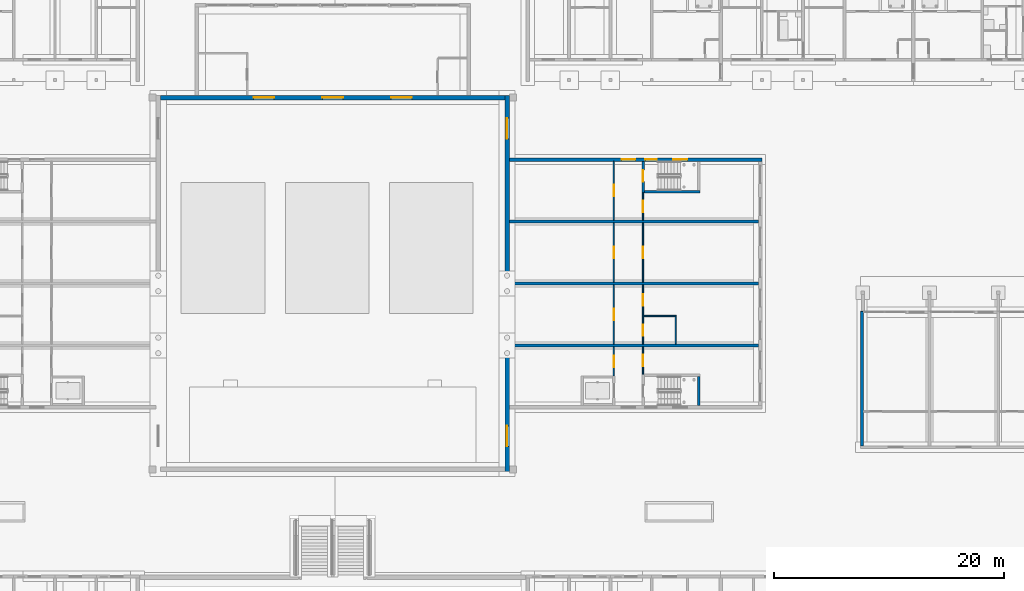
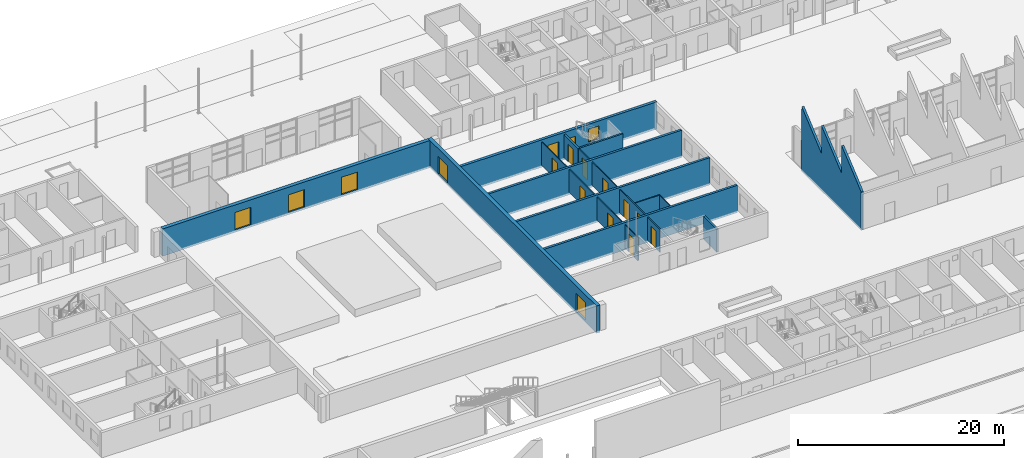
# One storey, part 57 of 112: 20 walls, 17 doors, 1 window, 18 openings.
"""IFC4 building model written with IfcOpenShell, lengths in metres."""

from ifc_helpers import new_model, si_unit, direction, frame, frame_2d, origin, place, context, subcontext, project, spatial, polyline, rectangle, outline, extrude, material, layer, layer_set, type_object, element, fill, save


model = new_model("IFC4")

# Units and contexts
model_context = context("Model", 3, precision=1e-05, world=origin(), true_north=direction((0.0, 1.0)))
body_context = subcontext(model_context, "Body", "Model", "MODEL_VIEW")
ifc_project = project(units=[si_unit("LENGTHUNIT", "METRE"), si_unit("AREAUNIT", "SQUARE_METRE"), si_unit("VOLUMEUNIT", "CUBIC_METRE"), si_unit("PLANEANGLEUNIT", "RADIAN"), si_unit("MASSUNIT", "GRAM", prefix="KILO")], contexts=[model_context])

# Site, building, storey
site_placement = place(None, origin())
site = spatial("IfcSite", under=ifc_project, at=site_placement, CompositionType="ELEMENT")
building_placement = place(site_placement, origin())
building = spatial("IfcBuilding", under=site, at=building_placement, Name="Ridgestep Commons", CompositionType="ELEMENT")
storey_placement = place(building_placement, origin())
storey = spatial("IfcBuildingStorey", under=building, at=storey_placement, Name="L00", CompositionType="ELEMENT", Elevation=0.0)

# Walls
ifc_material_1 = material(Name="Precast concrete C40/50", Category="concrete")
ifc_layer_1 = layer(ifc_material_1, 0.25)
ifc_layer_set_1 = layer_set([ifc_layer_1], Name="Annex cross wall 250")
wall_type_1 = type_object("IfcWallType", Name="Annex cross wall 250", PredefinedType="SOLIDWALL", material=ifc_layer_set_1)
for number, where, z_axis, x_axis, name in (
    (1, (145.199951171875, 43.0, -0.25), (0.0, 0.0, 1.0), (1.0, 0.0, 0.0), "Annex cross wall 250"),
    (2, (145.199951171875, 48.39990234375, -0.25), (0.0, 0.0, 1.0), (1.0, 0.0, 0.0), "Annex cross wall 250"),
    (3, (145.199951171875, 53.800048828125, -0.25), (0.0, 0.0, 1.0), (1.0, 0.0, 0.0), "Annex cross wall 250"),
):
    element("IfcWall", number, at=place(storey_placement, frame(where, z_axis=z_axis, x_axis=x_axis)), inside=storey, type_object=wall_type_1, Name=name, PredefinedType="SOLIDWALL", context=body_context, shape_type="SweptSolid", body=[
        extrude(rectangle(XDim=21.699951171875, YDim=0.25, at=frame_2d((10.85009765625, 0.0))), origin(), (0.0, 0.0, 1.0), 3.25),
    ])

# Wall, openings, doors, window
ifc_material_2 = material(Name="Precast concrete C40/50", Category="concrete")
ifc_layer_2 = layer(ifc_material_2, 0.300048828125)
ifc_layer_set_2 = layer_set([ifc_layer_2], Name="Annex wall 300")
wall_type_2 = type_object("IfcWallType", Name="Annex wall 300", PredefinedType="SOLIDWALL", material=ifc_layer_set_2)
wall_1_placement = place(storey_placement, frame((145.199951171875, 59.199951171875, -0.25), z_axis=(0.0, 0.0, 1.0), x_axis=(1.0, 0.0, 0.0)))
wall_1 = element("IfcWall", 4, at=wall_1_placement, inside=storey, type_object=wall_type_2, Name="Annex wall 300", PredefinedType="SOLIDWALL", context=body_context, shape_type="SweptSolid", body=[
    extrude(rectangle(XDim=22.0, YDim=0.300048828125, at=frame_2d((11.0, 0.0))), origin(), (0.0, 0.0, 1.0), 3.25),
])
opening_1_placement = place(wall_1_placement, frame((14.298095703125, 0.0, 1.14990234375)))
opening_1 = element("IfcOpeningElement", 5, at=opening_1_placement, cuts=wall_1, Name="Opening WK1", PredefinedType="OPENING", context=body_context, shape_type="SweptSolid", body=[
    extrude(rectangle(XDim=1.199951171875, YDim=1.5, at=frame_2d((0.60009765625, 0.75))), frame((0.0, 0.159912109375, 0.0), z_axis=(0.0, -1.0, 0.0), x_axis=(1.0, 0.0, 0.0)), (0.0, 0.0, 1.0), 0.320068359375),
])
opening_2_placement = place(wall_1_placement, frame((9.77490234375, 0.0, 0.25)))
opening_2 = element("IfcOpeningElement", 6, at=opening_2_placement, cuts=wall_1, Name="Opening C014", PredefinedType="OPENING", context=body_context, shape_type="SweptSolid", body=[
    extrude(rectangle(XDim=1.199951171875, YDim=2.10009765625, at=frame_2d((0.60009765625, 1.050048828125))), frame((0.0, 0.159912109375, 0.0), z_axis=(0.0, -1.0, 0.0), x_axis=(1.0, 0.0, 0.0)), (0.0, 0.0, 1.0), 0.320068359375),
])
opening_3_placement = place(wall_1_placement, frame((11.85009765625, 0.0, 0.25)))
opening_3 = element("IfcOpeningElement", 7, at=opening_3_placement, cuts=wall_1, Name="Opening C015", PredefinedType="OPENING", context=body_context, shape_type="SweptSolid", body=[
    extrude(rectangle(XDim=1.0, YDim=2.10009765625, at=frame_2d((0.5, 1.050048828125))), frame((0.0, 0.159912109375, 0.0), z_axis=(0.0, -1.0, 0.0), x_axis=(1.0, 0.0, 0.0)), (0.0, 0.0, 1.0), 0.320068359375),
])
ifc_material_3 = material(Name="Steel", Category="steel")
door_type_1 = type_object("IfcDoorType", Name="Community exit door 1000 x 2100", OperationType="SINGLE_SWING_LEFT", PredefinedType="DOOR", material=ifc_material_3)
door_1_placement = place(opening_3_placement, origin())
door_1 = element("IfcDoor", 8, at=door_1_placement, inside=storey, type_object=door_type_1, Name="Community exit door 1000 x 2100", OperationType="SINGLE_SWING_LEFT", OverallHeight=2.10009765625, OverallWidth=1.0, PredefinedType="DOOR", context=body_context, shape_type="SweptSolid", body=[
    extrude(rectangle(XDim=1.0, YDim=2.10009765625, at=frame_2d((0.5, 1.050048828125))), frame((0.0, 0.02490234375, 0.0), z_axis=(0.0, -1.0, 0.0), x_axis=(1.0, 0.0, 0.0)), (0.0, 0.0, 1.0), 0.050048828125),
])
fill(opening_3, door_1)
ifc_material_4 = material(Name="Steel", Category="steel")
door_type_2 = type_object("IfcDoorType", Name="Community exit door 1200 x 2100", OperationType="SINGLE_SWING_LEFT", PredefinedType="DOOR", material=ifc_material_4)
door_2_placement = place(opening_2_placement, origin())
door_2 = element("IfcDoor", 9, at=door_2_placement, inside=storey, type_object=door_type_2, Name="Community exit door 1200 x 2100", OperationType="SINGLE_SWING_LEFT", OverallHeight=2.10009765625, OverallWidth=1.199951171875, PredefinedType="DOOR", context=body_context, shape_type="SweptSolid", body=[
    extrude(rectangle(XDim=1.199951171875, YDim=2.10009765625, at=frame_2d((0.60009765625, 1.050048828125))), frame((0.0, 0.02490234375, 0.0), z_axis=(0.0, -1.0, 0.0), x_axis=(1.0, 0.0, 0.0)), (0.0, 0.0, 1.0), 0.050048828125),
])
fill(opening_2, door_2)
ifc_material_5 = material(Name="Aluminium and glass", Category="aluminium")
window_type = type_object("IfcWindowType", Name="Community window 1200 x 1500", PartitioningType="SINGLE_PANEL", PredefinedType="WINDOW", material=ifc_material_5)
window_placement = place(opening_1_placement, origin())
window = element("IfcWindow", 10, at=window_placement, inside=storey, type_object=window_type, Name="Community window 1200 x 1500", OverallHeight=1.5, OverallWidth=1.199951171875, PartitioningType="SINGLE_PANEL", PredefinedType="WINDOW", context=body_context, shape_type="SweptSolid", body=[
    extrude(rectangle(XDim=1.199951171875, YDim=1.5, at=frame_2d((0.60009765625, 0.75))), frame((0.0, 0.030029296875, 0.0), z_axis=(0.0, -1.0, 0.0), x_axis=(1.0, 0.0, 0.0)), (0.0, 0.0, 1.0), 0.06005859375),
])
fill(opening_1, window)

# Wall, opening, door
ifc_material_6 = material(Name="Common brick 110 mm", Category="masonry")
ifc_layer_3 = layer(ifc_material_6, 0.110107421875)
ifc_layer_set_3 = layer_set([ifc_layer_3], Name="Community partition 110")
wall_type_3 = type_object("IfcWallType", Name="Community partition 110", PredefinedType="PARTITIONING", material=ifc_layer_set_3)
wall_2_placement = place(storey_placement, frame((154.300048828125, 40.35009765625, 0.0), z_axis=(0.0, 0.0, 1.0), x_axis=(0.0, 1.0, 0.0)))
wall_2 = element("IfcWall", 11, at=wall_2_placement, inside=storey, type_object=wall_type_3, Name="Community partition 110", PredefinedType="PARTITIONING", context=body_context, shape_type="SweptSolid", body=[
    extrude(rectangle(XDim=2.52490234375, YDim=0.110107421875, at=frame_2d((1.262451171875, 0.0))), origin(), (0.0, 0.0, 1.0), 2.75),
])
opening_4_placement = place(wall_2_placement, frame((0.762451171875, 0.0, 0.0)))
opening_4 = element("IfcOpeningElement", 12, at=opening_4_placement, cuts=wall_2, Name="Opening C074", PredefinedType="OPENING", context=body_context, shape_type="SweptSolid", body=[
    extrude(rectangle(XDim=1.0, YDim=2.10009765625, at=frame_2d((0.5, 1.050048828125))), frame((0.0, 0.06494140625, 0.0), z_axis=(0.0, -1.0, 0.0), x_axis=(1.0, 0.0, 0.0)), (0.0, 0.0, 1.0), 0.130126953125),
])
ifc_material_7 = material(Name="Timber and steel", Category="steel")
door_type_3 = type_object("IfcDoorType", Name="Community fire door 1000 x 2100", OperationType="SINGLE_SWING_LEFT", PredefinedType="DOOR", material=ifc_material_7)
door_3_placement = place(opening_4_placement, origin())
door_3 = element("IfcDoor", 13, at=door_3_placement, inside=storey, type_object=door_type_3, Name="Community fire door 1000 x 2100", OperationType="SINGLE_SWING_RIGHT", OverallHeight=2.10009765625, OverallWidth=1.0, PredefinedType="DOOR", context=body_context, shape_type="SweptSolid", body=[
    extrude(rectangle(XDim=1.0, YDim=2.10009765625, at=frame_2d((0.5, 1.050048828125))), frame((0.0, 0.02490234375, 0.0), z_axis=(0.0, -1.0, 0.0), x_axis=(1.0, 0.0, 0.0)), (0.0, 0.0, 1.0), 0.050048828125),
])
fill(opening_4, door_3)

wall_3_placement = place(storey_placement, frame((154.300048828125, 43.125, 0.0), z_axis=(0.0, 0.0, 1.0), x_axis=(0.0, 1.0, 0.0)))
wall_3 = element("IfcWall", 14, at=wall_3_placement, inside=storey, type_object=wall_type_3, Name="Community partition 110", PredefinedType="PARTITIONING", context=body_context, shape_type="SweptSolid", body=[
    extrude(rectangle(XDim=5.14990234375, YDim=0.110107421875, at=frame_2d((2.574951171875, 0.0))), origin(), (0.0, 0.0, 1.0), 2.75),
])
opening_5_placement = place(wall_3_placement, frame((2.074951171875, 0.0, 0.0)))
opening_5 = element("IfcOpeningElement", 15, at=opening_5_placement, cuts=wall_3, Name="Opening C075", PredefinedType="OPENING", context=body_context, shape_type="SweptSolid", body=[
    extrude(rectangle(XDim=1.0, YDim=2.10009765625, at=frame_2d((0.5, 1.050048828125))), frame((0.0, 0.06494140625, 0.0), z_axis=(0.0, -1.0, 0.0), x_axis=(1.0, 0.0, 0.0)), (0.0, 0.0, 1.0), 0.130126953125),
])
door_4_placement = place(opening_5_placement, origin())
door_4 = element("IfcDoor", 16, at=door_4_placement, inside=storey, type_object=door_type_3, Name="Community fire door 1000 x 2100", OperationType="SINGLE_SWING_LEFT", OverallHeight=2.10009765625, OverallWidth=1.0, PredefinedType="DOOR", context=body_context, shape_type="SweptSolid", body=[
    extrude(rectangle(XDim=1.0, YDim=2.10009765625, at=frame_2d((0.5, 1.050048828125))), frame((0.0, 0.02490234375, 0.0), z_axis=(0.0, -1.0, 0.0), x_axis=(1.0, 0.0, 0.0)), (0.0, 0.0, 1.0), 0.050048828125),
])
fill(opening_5, door_4)

wall_4_placement = place(storey_placement, frame((154.300048828125, 48.52490234375, 0.0), z_axis=(0.0, 0.0, 1.0), x_axis=(0.0, 1.0, 0.0)))
wall_4 = element("IfcWall", 17, at=wall_4_placement, inside=storey, type_object=wall_type_3, Name="Community partition 110", PredefinedType="PARTITIONING", context=body_context, shape_type="SweptSolid", body=[
    extrude(rectangle(XDim=5.150146484375, YDim=0.110107421875, at=frame_2d((2.5751953125, 0.0))), origin(), (0.0, 0.0, 1.0), 2.75),
])
opening_6_placement = place(wall_4_placement, frame((2.074951171875, 0.0, 0.0)))
opening_6 = element("IfcOpeningElement", 18, at=opening_6_placement, cuts=wall_4, Name="Opening C076", PredefinedType="OPENING", context=body_context, shape_type="SweptSolid", body=[
    extrude(rectangle(XDim=1.0, YDim=2.10009765625, at=frame_2d((0.5, 1.050048828125))), frame((0.0, 0.06494140625, 0.0), z_axis=(0.0, -1.0, 0.0), x_axis=(1.0, 0.0, 0.0)), (0.0, 0.0, 1.0), 0.130126953125),
])
door_5_placement = place(opening_6_placement, origin())
door_5 = element("IfcDoor", 19, at=door_5_placement, inside=storey, type_object=door_type_3, Name="Community fire door 1000 x 2100", OperationType="SINGLE_SWING_RIGHT", OverallHeight=2.10009765625, OverallWidth=1.0, PredefinedType="DOOR", context=body_context, shape_type="SweptSolid", body=[
    extrude(rectangle(XDim=1.0, YDim=2.10009765625, at=frame_2d((0.5, 1.050048828125))), frame((0.0, 0.02490234375, 0.0), z_axis=(0.0, -1.0, 0.0), x_axis=(1.0, 0.0, 0.0)), (0.0, 0.0, 1.0), 0.050048828125),
])
fill(opening_6, door_5)

wall_5_placement = place(storey_placement, frame((154.300048828125, 53.925048828125, 0.0), z_axis=(0.0, 0.0, 1.0), x_axis=(0.0, 1.0, 0.0)))
wall_5 = element("IfcWall", 20, at=wall_5_placement, inside=storey, type_object=wall_type_3, Name="Community partition 110", PredefinedType="PARTITIONING", context=body_context, shape_type="SweptSolid", body=[
    extrude(rectangle(XDim=5.125, YDim=0.110107421875, at=frame_2d((2.5625, 0.0))), origin(), (0.0, 0.0, 1.0), 2.75),
])
opening_7_placement = place(wall_5_placement, frame((2.0625, 0.0, 0.0)))
opening_7 = element("IfcOpeningElement", 21, at=opening_7_placement, cuts=wall_5, Name="Opening C077", PredefinedType="OPENING", context=body_context, shape_type="SweptSolid", body=[
    extrude(rectangle(XDim=1.0, YDim=2.10009765625, at=frame_2d((0.5, 1.050048828125))), frame((0.0, 0.06494140625, 0.0), z_axis=(0.0, -1.0, 0.0), x_axis=(1.0, 0.0, 0.0)), (0.0, 0.0, 1.0), 0.130126953125),
])
door_6_placement = place(opening_7_placement, origin())
door_6 = element("IfcDoor", 22, at=door_6_placement, inside=storey, type_object=door_type_3, Name="Community fire door 1000 x 2100", OperationType="SINGLE_SWING_LEFT", OverallHeight=2.10009765625, OverallWidth=1.0, PredefinedType="DOOR", context=body_context, shape_type="SweptSolid", body=[
    extrude(rectangle(XDim=1.0, YDim=2.10009765625, at=frame_2d((0.5, 1.050048828125))), frame((0.0, 0.02490234375, 0.0), z_axis=(0.0, -1.0, 0.0), x_axis=(1.0, 0.0, 0.0)), (0.0, 0.0, 1.0), 0.050048828125),
])
fill(opening_7, door_6)

wall_6_placement = place(storey_placement, frame((156.85009765625, 40.5, 0.0), z_axis=(0.0, 0.0, 1.0), x_axis=(0.0, 1.0, 0.0)))
wall_6 = element("IfcWall", 23, at=wall_6_placement, inside=storey, type_object=wall_type_3, Name="Community partition 110", PredefinedType="PARTITIONING", context=body_context, shape_type="SweptSolid", body=[
    extrude(rectangle(XDim=2.375, YDim=0.110107421875, at=frame_2d((1.1875, 0.0))), origin(), (0.0, 0.0, 1.0), 2.75),
])
opening_8_placement = place(wall_6_placement, frame((0.6875, 0.0, 0.0)))
opening_8 = element("IfcOpeningElement", 24, at=opening_8_placement, cuts=wall_6, Name="Opening C078", PredefinedType="OPENING", context=body_context, shape_type="SweptSolid", body=[
    extrude(rectangle(XDim=1.0, YDim=2.10009765625, at=frame_2d((0.5, 1.050048828125))), frame((0.0, 0.06494140625, 0.0), z_axis=(0.0, -1.0, 0.0), x_axis=(1.0, 0.0, 0.0)), (0.0, 0.0, 1.0), 0.130126953125),
])
door_7_placement = place(opening_8_placement, origin())
door_7 = element("IfcDoor", 25, at=door_7_placement, inside=storey, type_object=door_type_3, Name="Community fire door 1000 x 2100", OperationType="SINGLE_SWING_LEFT", OverallHeight=2.10009765625, OverallWidth=1.0, PredefinedType="DOOR", context=body_context, shape_type="SweptSolid", body=[
    extrude(rectangle(XDim=1.0, YDim=2.10009765625, at=frame_2d((0.5, 1.050048828125))), frame((0.0, 0.02490234375, 0.0), z_axis=(0.0, -1.0, 0.0), x_axis=(1.0, 0.0, 0.0)), (0.0, 0.0, 1.0), 0.050048828125),
])
fill(opening_8, door_7)

# Wall, openings, doors
wall_7_placement = place(storey_placement, frame((156.85009765625, 43.125, 0.0), z_axis=(0.0, 0.0, 1.0), x_axis=(0.0, 1.0, 0.0)))
wall_7 = element("IfcWall", 26, at=wall_7_placement, inside=storey, type_object=wall_type_3, Name="Community partition 110", PredefinedType="PARTITIONING", context=body_context, shape_type="SweptSolid", body=[
    extrude(rectangle(XDim=5.14990234375, YDim=0.110107421875, at=frame_2d((2.574951171875, 0.0))), origin(), (0.0, 0.0, 1.0), 2.75),
])
opening_9_placement = place(wall_7_placement, frame((0.697509765625, 0.0, 0.0)))
opening_9 = element("IfcOpeningElement", 27, at=opening_9_placement, cuts=wall_7, Name="Opening C079", PredefinedType="OPENING", context=body_context, shape_type="SweptSolid", body=[
    extrude(rectangle(XDim=1.0, YDim=2.10009765625, at=frame_2d((0.5, 1.050048828125))), frame((0.0, 0.06494140625, 0.0), z_axis=(0.0, -1.0, 0.0), x_axis=(1.0, 0.0, 0.0)), (0.0, 0.0, 1.0), 0.130126953125),
])
opening_10_placement = place(wall_7_placement, frame((3.327392578125, 0.0, 0.0)))
opening_10 = element("IfcOpeningElement", 28, at=opening_10_placement, cuts=wall_7, Name="Opening C080", PredefinedType="OPENING", context=body_context, shape_type="SweptSolid", body=[
    extrude(rectangle(XDim=1.0, YDim=2.10009765625, at=frame_2d((0.5, 1.050048828125))), frame((0.0, 0.06494140625, 0.0), z_axis=(0.0, -1.0, 0.0), x_axis=(1.0, 0.0, 0.0)), (0.0, 0.0, 1.0), 0.130126953125),
])
door_8_placement = place(opening_9_placement, origin())
door_8 = element("IfcDoor", 29, at=door_8_placement, inside=storey, type_object=door_type_3, Name="Community fire door 1000 x 2100", OperationType="SINGLE_SWING_RIGHT", OverallHeight=2.10009765625, OverallWidth=1.0, PredefinedType="DOOR", context=body_context, shape_type="SweptSolid", body=[
    extrude(rectangle(XDim=1.0, YDim=2.10009765625, at=frame_2d((0.5, 1.050048828125))), frame((0.0, 0.02490234375, 0.0), z_axis=(0.0, -1.0, 0.0), x_axis=(1.0, 0.0, 0.0)), (0.0, 0.0, 1.0), 0.050048828125),
])
fill(opening_9, door_8)
door_9_placement = place(opening_10_placement, origin())
door_9 = element("IfcDoor", 30, at=door_9_placement, inside=storey, type_object=door_type_3, Name="Community fire door 1000 x 2100", OperationType="SINGLE_SWING_RIGHT", OverallHeight=2.10009765625, OverallWidth=1.0, PredefinedType="DOOR", context=body_context, shape_type="SweptSolid", body=[
    extrude(rectangle(XDim=1.0, YDim=2.10009765625, at=frame_2d((0.5, 1.050048828125))), frame((0.0, 0.02490234375, 0.0), z_axis=(0.0, -1.0, 0.0), x_axis=(1.0, 0.0, 0.0)), (0.0, 0.0, 1.0), 0.050048828125),
])
fill(opening_10, door_9)

# Wall, opening, door
wall_8_placement = place(storey_placement, frame((156.85009765625, 48.52490234375, 0.0), z_axis=(0.0, 0.0, 1.0), x_axis=(0.0, 1.0, 0.0)))
wall_8 = element("IfcWall", 31, at=wall_8_placement, inside=storey, type_object=wall_type_3, Name="Community partition 110", PredefinedType="PARTITIONING", context=body_context, shape_type="SweptSolid", body=[
    extrude(rectangle(XDim=5.150146484375, YDim=0.110107421875, at=frame_2d((2.5751953125, 0.0))), origin(), (0.0, 0.0, 1.0), 2.75),
])
opening_11_placement = place(wall_8_placement, frame((2.074951171875, 0.0, 0.0)))
opening_11 = element("IfcOpeningElement", 32, at=opening_11_placement, cuts=wall_8, Name="Opening C081", PredefinedType="OPENING", context=body_context, shape_type="SweptSolid", body=[
    extrude(rectangle(XDim=1.0, YDim=2.10009765625, at=frame_2d((0.5, 1.050048828125))), frame((0.0, 0.06494140625, 0.0), z_axis=(0.0, -1.0, 0.0), x_axis=(1.0, 0.0, 0.0)), (0.0, 0.0, 1.0), 0.130126953125),
])
door_10_placement = place(opening_11_placement, origin())
door_10 = element("IfcDoor", 33, at=door_10_placement, inside=storey, type_object=door_type_3, Name="Community fire door 1000 x 2100", OperationType="SINGLE_SWING_LEFT", OverallHeight=2.10009765625, OverallWidth=1.0, PredefinedType="DOOR", context=body_context, shape_type="SweptSolid", body=[
    extrude(rectangle(XDim=1.0, YDim=2.10009765625, at=frame_2d((0.5, 1.050048828125))), frame((0.0, 0.02490234375, 0.0), z_axis=(0.0, -1.0, 0.0), x_axis=(1.0, 0.0, 0.0)), (0.0, 0.0, 1.0), 0.050048828125),
])
fill(opening_11, door_10)

wall_9_placement = place(storey_placement, frame((156.85009765625, 53.925048828125, 0.0), z_axis=(0.0, 0.0, 1.0), x_axis=(0.0, 1.0, 0.0)))
wall_9 = element("IfcWall", 34, at=wall_9_placement, inside=storey, type_object=wall_type_3, Name="Community partition 110", PredefinedType="PARTITIONING", context=body_context, shape_type="SweptSolid", body=[
    extrude(rectangle(XDim=2.375, YDim=0.110107421875, at=frame_2d((1.1875, 0.0))), origin(), (0.0, 0.0, 1.0), 2.75),
])
opening_12_placement = place(wall_9_placement, frame((0.6875, 0.0, 0.0)))
opening_12 = element("IfcOpeningElement", 35, at=opening_12_placement, cuts=wall_9, Name="Opening C082", PredefinedType="OPENING", context=body_context, shape_type="SweptSolid", body=[
    extrude(rectangle(XDim=1.0, YDim=2.10009765625, at=frame_2d((0.5, 1.050048828125))), frame((0.0, 0.06494140625, 0.0), z_axis=(0.0, -1.0, 0.0), x_axis=(1.0, 0.0, 0.0)), (0.0, 0.0, 1.0), 0.130126953125),
])
door_11_placement = place(opening_12_placement, origin())
door_11 = element("IfcDoor", 36, at=door_11_placement, inside=storey, type_object=door_type_3, Name="Community fire door 1000 x 2100", OperationType="SINGLE_SWING_LEFT", OverallHeight=2.10009765625, OverallWidth=1.0, PredefinedType="DOOR", context=body_context, shape_type="SweptSolid", body=[
    extrude(rectangle(XDim=1.0, YDim=2.10009765625, at=frame_2d((0.5, 1.050048828125))), frame((0.0, 0.02490234375, 0.0), z_axis=(0.0, -1.0, 0.0), x_axis=(1.0, 0.0, 0.0)), (0.0, 0.0, 1.0), 0.050048828125),
])
fill(opening_12, door_11)

# Walls
wall_10_placement = place(storey_placement, frame((156.905029296875, 45.574951171875, 0.0), z_axis=(0.0, 0.0, 1.0), x_axis=(1.0, 0.0, 0.0)))
element("IfcWall", 37, at=wall_10_placement, inside=storey, type_object=wall_type_3, Name="Community partition 110", PredefinedType="PARTITIONING", context=body_context, shape_type="SweptSolid", body=[
    extrude(rectangle(XDim=2.849853515625, YDim=0.110107421875, at=frame_2d((1.4248046875, 0.0))), origin(), (0.0, 0.0, 1.0), 2.75),
])
wall_11_placement = place(storey_placement, frame((159.699951171875, 43.125, 0.0), z_axis=(0.0, 0.0, 1.0), x_axis=(0.0, 1.0, 0.0)))
element("IfcWall", 38, at=wall_11_placement, inside=storey, type_object=wall_type_3, Name="Community partition 110", PredefinedType="PARTITIONING", context=body_context, shape_type="SweptSolid", body=[
    extrude(rectangle(XDim=2.39501953125, YDim=0.110107421875, at=frame_2d((1.197509765625, 0.0))), origin(), (0.0, 0.0, 1.0), 2.75),
])

# Wall, opening, door
ifc_material_8 = material(Name="Concrete C30/37", Category="concrete")
ifc_layer_4 = layer(ifc_material_8, 0.199951171875)
ifc_layer_set_4 = layer_set([ifc_layer_4], Name="Community stair wall 200")
wall_type_4 = type_object("IfcWallType", Name="Community stair wall 200", PredefinedType="SOLIDWALL", material=ifc_layer_set_4)
wall_12_placement = place(storey_placement, frame((156.85009765625, 56.300048828125, 0.0), z_axis=(0.0, 0.0, 1.0), x_axis=(0.0, 1.0, 0.0)))
wall_12 = element("IfcWall", 39, at=wall_12_placement, inside=storey, type_object=wall_type_4, Name="Community stair wall 200", PredefinedType="SOLIDWALL", context=body_context, shape_type="SweptSolid", body=[
    extrude(rectangle(XDim=2.75, YDim=0.199951171875, at=frame_2d((1.375, 0.0))), origin(), (0.0, 0.0, 1.0), 2.75),
])
opening_13_placement = place(wall_12_placement, frame((0.97509765625, 0.0, 0.0)))
opening_13 = element("IfcOpeningElement", 40, at=opening_13_placement, cuts=wall_12, Name="Opening C084", PredefinedType="OPENING", context=body_context, shape_type="SweptSolid", body=[
    extrude(rectangle(XDim=1.0, YDim=2.10009765625, at=frame_2d((0.5, 1.050048828125))), frame((0.0, 0.10986328125, 0.0), z_axis=(0.0, -1.0, 0.0), x_axis=(1.0, 0.0, 0.0)), (0.0, 0.0, 1.0), 0.219970703125),
])
door_12_placement = place(opening_13_placement, origin())
door_12 = element("IfcDoor", 41, at=door_12_placement, inside=storey, type_object=door_type_3, Name="Community fire door 1000 x 2100", OperationType="SINGLE_SWING_RIGHT", OverallHeight=2.10009765625, OverallWidth=1.0, PredefinedType="DOOR", context=body_context, shape_type="SweptSolid", body=[
    extrude(rectangle(XDim=1.0, YDim=2.10009765625, at=frame_2d((0.5, 1.050048828125))), frame((0.0, 0.02490234375, 0.0), z_axis=(0.0, -1.0, 0.0), x_axis=(1.0, 0.0, 0.0)), (0.0, 0.0, 1.0), 0.050048828125),
])
fill(opening_13, door_12)

# Walls
wall_13_placement = place(storey_placement, frame((161.68994140625, 37.75, 0.0), z_axis=(0.0, 0.0, 1.0), x_axis=(0.0, 1.0, 0.0)))
element("IfcWall", 42, at=wall_13_placement, inside=storey, type_object=wall_type_4, Name="Community stair wall 200", PredefinedType="SOLIDWALL", context=body_context, shape_type="SweptSolid", body=[
    extrude(rectangle(XDim=2.550048828125, YDim=0.199951171875, at=frame_2d((1.27490234375, 0.0))), origin(), (0.0, 0.0, 1.0), 2.75),
])
wall_14_placement = place(storey_placement, frame((156.949951171875, 56.39990234375, 0.0), z_axis=(0.0, 0.0, 1.0), x_axis=(1.0, 0.0, 0.0)))
element("IfcWall", 43, at=wall_14_placement, inside=storey, type_object=wall_type_4, Name="Community stair wall 200", PredefinedType="SOLIDWALL", context=body_context, shape_type="SweptSolid", body=[
    extrude(rectangle(XDim=4.840087890625, YDim=0.199951171875, at=frame_2d((2.419921875, 0.0))), origin(), (0.0, 0.0, 1.0), 2.75),
])

# Wall, openings, doors
ifc_material_9 = material(Name="Precast concrete C40/50", Category="concrete")
ifc_layer_5 = layer(ifc_material_9, 0.39990234375)
ifc_layer_set_5 = layer_set([ifc_layer_5], Name="Hall wall 400")
wall_type_5 = type_object("IfcWallType", Name="Hall wall 400", PredefinedType="SOLIDWALL", material=ifc_layer_set_5)
wall_15_placement = place(storey_placement, frame((145.0, 32.0, -0.25), z_axis=(0.0, 0.0, 1.0), x_axis=(0.0, 1.0, 0.0)))
wall_15 = element("IfcWall", 44, at=wall_15_placement, inside=storey, type_object=wall_type_5, Name="Hall wall 400", PredefinedType="SOLIDWALL", context=body_context, shape_type="SweptSolid", body=[
    extrude(rectangle(XDim=32.800048828125, YDim=0.39990234375, at=frame_2d((16.39990234375, 0.0))), origin(), (0.0, 0.0, 1.0), 3.25),
])
opening_14_placement = place(wall_15_placement, frame((2.199951171875, 0.0, 0.25)))
opening_14 = element("IfcOpeningElement", 45, at=opening_14_placement, cuts=wall_15, Name="Opening C003", PredefinedType="OPENING", context=body_context, shape_type="SweptSolid", body=[
    extrude(rectangle(XDim=1.800048828125, YDim=2.10009765625, at=frame_2d((0.89990234375, 1.050048828125))), frame((0.0, 0.2099609375, 0.0), z_axis=(0.0, -1.0, 0.0), x_axis=(1.0, 0.0, 0.0)), (0.0, 0.0, 1.0), 0.419921875),
])
opening_15_placement = place(wall_15_placement, frame((29.0, 0.0, 0.25)))
opening_15 = element("IfcOpeningElement", 46, at=opening_15_placement, cuts=wall_15, Name="Opening C004", PredefinedType="OPENING", context=body_context, shape_type="SweptSolid", body=[
    extrude(rectangle(XDim=1.800048828125, YDim=2.10009765625, at=frame_2d((0.89990234375, 1.050048828125))), frame((0.0, 0.2099609375, 0.0), z_axis=(0.0, -1.0, 0.0), x_axis=(1.0, 0.0, 0.0)), (0.0, 0.0, 1.0), 0.419921875),
])
ifc_material_10 = material(Name="Aluminium and glass", Category="aluminium")
door_type_4 = type_object("IfcDoorType", Name="Community pair of doors 1800 x 2100", OperationType="DOUBLE_DOOR_SINGLE_SWING", PredefinedType="DOOR", material=ifc_material_10)
door_13_placement = place(opening_14_placement, origin())
door_13 = element("IfcDoor", 47, at=door_13_placement, inside=storey, type_object=door_type_4, Name="Community pair of doors 1800 x 2100", OperationType="DOUBLE_DOOR_SINGLE_SWING", OverallHeight=2.10009765625, OverallWidth=1.800048828125, PredefinedType="DOOR", context=body_context, shape_type="SweptSolid", body=[
    extrude(rectangle(XDim=1.800048828125, YDim=2.10009765625, at=frame_2d((0.89990234375, 1.050048828125))), frame((0.0, 0.02490234375, 0.0), z_axis=(0.0, -1.0, 0.0), x_axis=(1.0, 0.0, 0.0)), (0.0, 0.0, 1.0), 0.050048828125),
])
fill(opening_14, door_13)
door_14_placement = place(opening_15_placement, origin())
door_14 = element("IfcDoor", 48, at=door_14_placement, inside=storey, type_object=door_type_4, Name="Community pair of doors 1800 x 2100", OperationType="DOUBLE_DOOR_SINGLE_SWING", OverallHeight=2.10009765625, OverallWidth=1.800048828125, PredefinedType="DOOR", context=body_context, shape_type="SweptSolid", body=[
    extrude(rectangle(XDim=1.800048828125, YDim=2.10009765625, at=frame_2d((0.89990234375, 1.050048828125))), frame((0.0, 0.02490234375, 0.0), z_axis=(0.0, -1.0, 0.0), x_axis=(1.0, 0.0, 0.0)), (0.0, 0.0, 1.0), 0.050048828125),
])
fill(opening_15, door_14)

wall_16_placement = place(storey_placement, frame((114.800048828125, 64.60009765625, -0.25), z_axis=(0.0, 0.0, 1.0), x_axis=(1.0, 0.0, 0.0)))
wall_16 = element("IfcWall", 49, at=wall_16_placement, inside=storey, type_object=wall_type_5, Name="Hall wall 400", PredefinedType="SOLIDWALL", context=body_context, shape_type="SweptSolid", body=[
    extrude(rectangle(XDim=30.0, YDim=0.39990234375, at=frame_2d((15.0, 0.0))), origin(), (0.0, 0.0, 1.0), 3.25),
])
opening_16_placement = place(wall_16_placement, frame((8.10009765625, 0.0, 0.25)))
opening_16 = element("IfcOpeningElement", 50, at=opening_16_placement, cuts=wall_16, Name="Opening C047", PredefinedType="OPENING", context=body_context, shape_type="SweptSolid", body=[
    extrude(rectangle(XDim=1.800048828125, YDim=2.10009765625, at=frame_2d((0.89990234375, 1.050048828125))), frame((0.0, 0.2099609375, 0.0), z_axis=(0.0, -1.0, 0.0), x_axis=(1.0, 0.0, 0.0)), (0.0, 0.0, 1.0), 0.419921875),
])
opening_17_placement = place(wall_16_placement, frame((14.10009765625, 0.0, 0.25)))
opening_17 = element("IfcOpeningElement", 51, at=opening_17_placement, cuts=wall_16, Name="Opening C048", PredefinedType="OPENING", context=body_context, shape_type="SweptSolid", body=[
    extrude(rectangle(XDim=1.800048828125, YDim=2.10009765625, at=frame_2d((0.89990234375, 1.050048828125))), frame((0.0, 0.2099609375, 0.0), z_axis=(0.0, -1.0, 0.0), x_axis=(1.0, 0.0, 0.0)), (0.0, 0.0, 1.0), 0.419921875),
])
opening_18_placement = place(wall_16_placement, frame((20.10009765625, 0.0, 0.25)))
opening_18 = element("IfcOpeningElement", 52, at=opening_18_placement, cuts=wall_16, Name="Opening C049", PredefinedType="OPENING", context=body_context, shape_type="SweptSolid", body=[
    extrude(rectangle(XDim=1.800048828125, YDim=2.10009765625, at=frame_2d((0.89990234375, 1.050048828125))), frame((0.0, 0.2099609375, 0.0), z_axis=(0.0, -1.0, 0.0), x_axis=(1.0, 0.0, 0.0)), (0.0, 0.0, 1.0), 0.419921875),
])
door_15_placement = place(opening_16_placement, origin())
door_15 = element("IfcDoor", 53, at=door_15_placement, inside=storey, type_object=door_type_4, Name="Community pair of doors 1800 x 2100", OperationType="DOUBLE_DOOR_SINGLE_SWING", OverallHeight=2.10009765625, OverallWidth=1.800048828125, PredefinedType="DOOR", context=body_context, shape_type="SweptSolid", body=[
    extrude(rectangle(XDim=1.800048828125, YDim=2.10009765625, at=frame_2d((0.89990234375, 1.050048828125))), frame((0.0, 0.02490234375, 0.0), z_axis=(0.0, -1.0, 0.0), x_axis=(1.0, 0.0, 0.0)), (0.0, 0.0, 1.0), 0.050048828125),
])
fill(opening_16, door_15)
door_16_placement = place(opening_17_placement, origin())
door_16 = element("IfcDoor", 54, at=door_16_placement, inside=storey, type_object=door_type_4, Name="Community pair of doors 1800 x 2100", OperationType="DOUBLE_DOOR_SINGLE_SWING", OverallHeight=2.10009765625, OverallWidth=1.800048828125, PredefinedType="DOOR", context=body_context, shape_type="SweptSolid", body=[
    extrude(rectangle(XDim=1.800048828125, YDim=2.10009765625, at=frame_2d((0.89990234375, 1.050048828125))), frame((0.0, 0.02490234375, 0.0), z_axis=(0.0, -1.0, 0.0), x_axis=(1.0, 0.0, 0.0)), (0.0, 0.0, 1.0), 0.050048828125),
])
fill(opening_17, door_16)
door_17_placement = place(opening_18_placement, origin())
door_17 = element("IfcDoor", 55, at=door_17_placement, inside=storey, type_object=door_type_4, Name="Community pair of doors 1800 x 2100", OperationType="DOUBLE_DOOR_SINGLE_SWING", OverallHeight=2.10009765625, OverallWidth=1.800048828125, PredefinedType="DOOR", context=body_context, shape_type="SweptSolid", body=[
    extrude(rectangle(XDim=1.800048828125, YDim=2.10009765625, at=frame_2d((0.89990234375, 1.050048828125))), frame((0.0, 0.02490234375, 0.0), z_axis=(0.0, -1.0, 0.0), x_axis=(1.0, 0.0, 0.0)), (0.0, 0.0, 1.0), 0.050048828125),
])
fill(opening_18, door_17)

# Wall
ifc_material_11 = material(Name="Precast concrete C40/50", Category="concrete")
ifc_layer_6 = layer(ifc_material_11, 0.25)
ifc_layer_set_6 = layer_set([ifc_layer_6], Name="Shop wall 250")
wall_type_6 = type_object("IfcWallType", Name="Shop wall 250", PredefinedType="SOLIDWALL", material=ifc_layer_set_6)
wall_17_placement = place(storey_placement, frame((175.925048828125, 34.25, -0.25), z_axis=(0.0, 0.0, 1.0), x_axis=(0.0, 1.0, 0.0)))
element("IfcWall", 56, at=wall_17_placement, inside=storey, type_object=wall_type_6, Name="Shop wall 250", PredefinedType="SOLIDWALL", context=body_context, shape_type="SweptSolid", body=[
    extrude(outline(polyline([(0.0, 0.0), (11.75, 0.0), (11.550048828125, 7.662841796875), (7.72607421875, 4.447021484375), (7.72509765625, 7.7470703125), (3.801025390625, 4.447021484375), (3.800048828125, 7.7470703125), (0.0, 4.552001953125), (0.0, 0.0)])), frame((0.0, 0.125, 0.0), z_axis=(0.0, -1.0, 0.0), x_axis=(1.0, 0.0, 0.0)), (0.0, 0.0, 1.0), 0.25),
])

save(model, "model.ifc")
